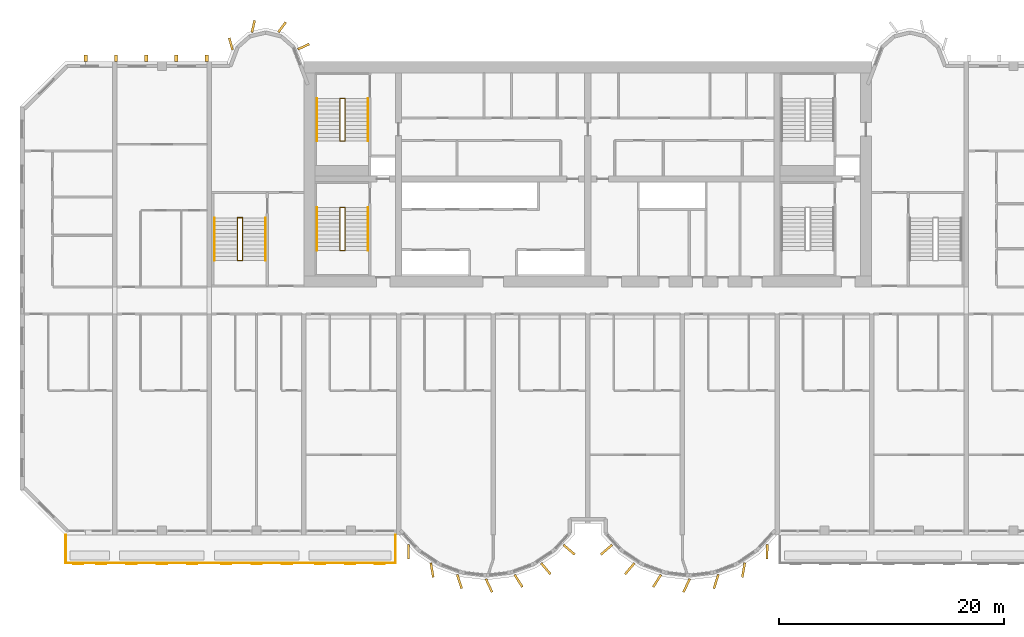
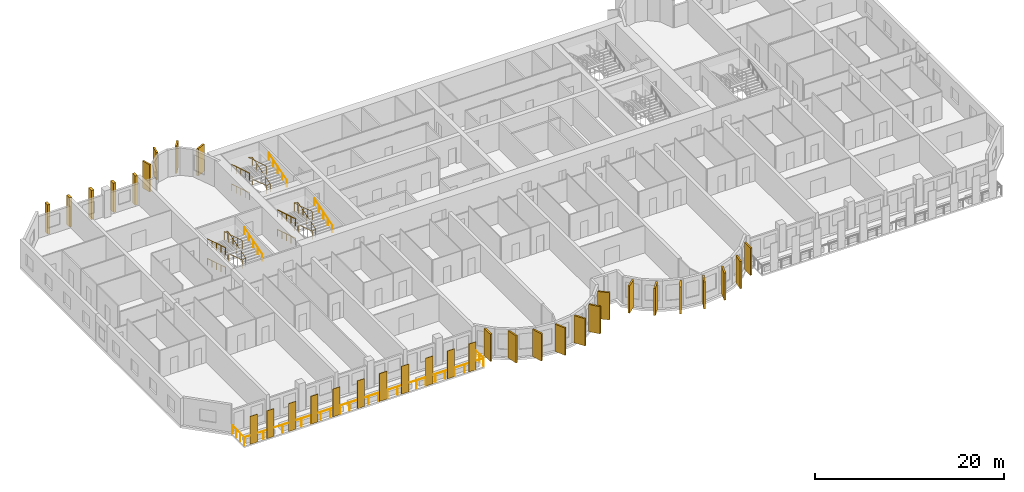
# One storey, part 13 of 15: 34 coverings, 13 railings.
"""IFC4 building model written with IfcOpenShell, lengths in metres."""

from ifc_helpers import new_model, si_unit, direction, frame, origin, origin_2d, place, context, subcontext, project, spatial, rectangle, circle, extrude, source, transform, mapped, material, layer, layer_set, material_profile, profile_set, type_object, element, save


model = new_model("IFC4")

# Units and contexts
model_context = context("Model", 3, precision=1e-05, world=origin(), true_north=direction((0.0, 1.0)))
body_context = subcontext(model_context, "Body", "Model", "MODEL_VIEW")
ifc_project = project(units=[si_unit("LENGTHUNIT", "METRE"), si_unit("AREAUNIT", "SQUARE_METRE"), si_unit("VOLUMEUNIT", "CUBIC_METRE"), si_unit("PLANEANGLEUNIT", "RADIAN"), si_unit("MASSUNIT", "GRAM", prefix="KILO")], contexts=[model_context])

# Site, building, storey
site_placement = place(None, origin())
site = spatial("IfcSite", under=ifc_project, at=site_placement, CompositionType="ELEMENT")
building_placement = place(site_placement, origin())
building = spatial("IfcBuilding", under=site, at=building_placement, Name="Vanashikhar Sky Hotel", CompositionType="ELEMENT")
storey_placement = place(building_placement, frame((0.0, 0.0, 62.0)))
storey = spatial("IfcBuildingStorey", under=building, at=storey_placement, Name="L14", CompositionType="ELEMENT", Elevation=62.0)

# Railing
ifc_material_1 = material(Name="Stainless steel 316", Category="steel")
railing_type_1 = type_object("IfcRailingType", Name="Balcony guard 1100", PredefinedType="GUARDRAIL", material=ifc_material_1)
shared_shape_1 = source(origin(), body_context, "Body", "SweptSolid", [
    extrude(circle(Radius=0.02392578125, at=origin_2d()), frame((0.0, 0.0, 1.076171875), z_axis=(0.0, -1.0, 0.0), x_axis=(1.0, 0.0, 0.0)), (0.0, 0.0, 1.0), 2.5),
    extrude(circle(Radius=0.02392578125, at=origin_2d()), frame((0.0, -2.5, 1.076171875), z_axis=(1.0, 0.0, 0.0), x_axis=(0.0, 1.0, 0.0)), (0.0, 0.0, 1.0), 29.280029296875),
    extrude(circle(Radius=0.02392578125, at=origin_2d()), frame((29.280029296875, -2.5, 1.076171875), z_axis=(0.0, 1.0, 0.0), x_axis=(-1.0, 0.0, 0.0)), (0.0, 0.0, 1.0), 2.5),
    extrude(circle(Radius=0.02099609375, at=origin_2d()), origin(), (0.0, 0.0, 1.0), 1.052001953125),
    extrude(circle(Radius=0.02099609375, at=origin_2d()), frame((0.0, -0.833251953125, 0.0)), (0.0, 0.0, 1.0), 1.052001953125),
    extrude(circle(Radius=0.02099609375, at=origin_2d()), frame((0.0, -1.666748046875, 0.0)), (0.0, 0.0, 1.0), 1.052001953125),
    extrude(circle(Radius=0.02099609375, at=origin_2d()), frame((0.0, -2.5, 0.0)), (0.0, 0.0, 1.0), 1.052001953125),
    extrude(circle(Radius=0.02099609375, at=origin_2d()), frame((1.171142578125, -2.5, 0.0)), (0.0, 0.0, 1.0), 1.052001953125),
    extrude(circle(Radius=0.02099609375, at=origin_2d()), frame((2.34228515625, -2.5, 0.0)), (0.0, 0.0, 1.0), 1.052001953125),
    extrude(circle(Radius=0.02099609375, at=origin_2d()), frame((3.513671875, -2.5, 0.0)), (0.0, 0.0, 1.0), 1.052001953125),
    extrude(circle(Radius=0.02099609375, at=origin_2d()), frame((4.684814453125, -2.5, 0.0)), (0.0, 0.0, 1.0), 1.052001953125),
    extrude(circle(Radius=0.02099609375, at=origin_2d()), frame((5.85595703125, -2.5, 0.0)), (0.0, 0.0, 1.0), 1.052001953125),
    extrude(circle(Radius=0.02099609375, at=origin_2d()), frame((7.027099609375, -2.5, 0.0)), (0.0, 0.0, 1.0), 1.052001953125),
    extrude(circle(Radius=0.02099609375, at=origin_2d()), frame((8.198486328125, -2.5, 0.0)), (0.0, 0.0, 1.0), 1.052001953125),
    extrude(circle(Radius=0.02099609375, at=origin_2d()), frame((9.36962890625, -2.5, 0.0)), (0.0, 0.0, 1.0), 1.052001953125),
    extrude(circle(Radius=0.02099609375, at=origin_2d()), frame((10.540771484375, -2.5, 0.0)), (0.0, 0.0, 1.0), 1.052001953125),
    extrude(circle(Radius=0.02099609375, at=origin_2d()), frame((11.7119140625, -2.5, 0.0)), (0.0, 0.0, 1.0), 1.052001953125),
    extrude(circle(Radius=0.02099609375, at=origin_2d()), frame((12.88330078125, -2.5, 0.0)), (0.0, 0.0, 1.0), 1.052001953125),
    extrude(circle(Radius=0.02099609375, at=origin_2d()), frame((14.054443359375, -2.5, 0.0)), (0.0, 0.0, 1.0), 1.052001953125),
    extrude(circle(Radius=0.02099609375, at=origin_2d()), frame((15.2255859375, -2.5, 0.0)), (0.0, 0.0, 1.0), 1.052001953125),
    extrude(circle(Radius=0.02099609375, at=origin_2d()), frame((16.396728515625, -2.5, 0.0)), (0.0, 0.0, 1.0), 1.052001953125),
    extrude(circle(Radius=0.02099609375, at=origin_2d()), frame((17.568115234375, -2.5, 0.0)), (0.0, 0.0, 1.0), 1.052001953125),
    extrude(circle(Radius=0.02099609375, at=origin_2d()), frame((18.7392578125, -2.5, 0.0)), (0.0, 0.0, 1.0), 1.052001953125),
    extrude(circle(Radius=0.02099609375, at=origin_2d()), frame((19.910400390625, -2.5, 0.0)), (0.0, 0.0, 1.0), 1.052001953125),
    extrude(circle(Radius=0.02099609375, at=origin_2d()), frame((21.08154296875, -2.5, 0.0)), (0.0, 0.0, 1.0), 1.052001953125),
    extrude(circle(Radius=0.02099609375, at=origin_2d()), frame((22.2529296875, -2.5, 0.0)), (0.0, 0.0, 1.0), 1.052001953125),
    extrude(circle(Radius=0.02099609375, at=origin_2d()), frame((23.424072265625, -2.5, 0.0)), (0.0, 0.0, 1.0), 1.052001953125),
    extrude(circle(Radius=0.02099609375, at=origin_2d()), frame((24.59521484375, -2.5, 0.0)), (0.0, 0.0, 1.0), 1.052001953125),
    extrude(circle(Radius=0.02099609375, at=origin_2d()), frame((25.766357421875, -2.5, 0.0)), (0.0, 0.0, 1.0), 1.052001953125),
    extrude(circle(Radius=0.02099609375, at=origin_2d()), frame((26.937744140625, -2.5, 0.0)), (0.0, 0.0, 1.0), 1.052001953125),
    extrude(circle(Radius=0.02099609375, at=origin_2d()), frame((28.10888671875, -2.5, 0.0)), (0.0, 0.0, 1.0), 1.052001953125),
    extrude(circle(Radius=0.02099609375, at=origin_2d()), frame((29.280029296875, -2.5, 0.0)), (0.0, 0.0, 1.0), 1.052001953125),
    extrude(circle(Radius=0.02099609375, at=origin_2d()), frame((29.280029296875, -1.666748046875, 0.0)), (0.0, 0.0, 1.0), 1.052001953125),
    extrude(circle(Radius=0.02099609375, at=origin_2d()), frame((29.280029296875, -0.833251953125, 0.0)), (0.0, 0.0, 1.0), 1.052001953125),
    extrude(circle(Radius=0.02099609375, at=origin_2d()), frame((29.280029296875, 0.0, 0.0)), (0.0, 0.0, 1.0), 1.052001953125),
])
railing_1_placement = place(storey_placement, frame((4.06005859375, 0.0, -0.050048828125)))
element("IfcRailing", 1, at=railing_1_placement, inside=storey, type_object=railing_type_1, Name="Balcony guard", PredefinedType="GUARDRAIL", context=body_context, shape_type="MappedRepresentation", body=[
    mapped(shared_shape_1, transform((0.0, 0.0, 0.0), scale=1.0)),
])

# Coverings
ifc_material_2 = material(Name="Terracotta", Category="masonry")
ifc_layer = layer(ifc_material_2, 0.06005859375)
ifc_layer_set = layer_set([ifc_layer], Name="Terracotta baguette screen")
covering_type_1 = type_object("IfcCoveringType", Name="Terracotta baguette screen", PredefinedType="CLADDING", material=ifc_layer_set)
shared_shape_2 = source(origin(), body_context, "Body", "SweptSolid", [
    extrude(rectangle(XDim=0.89990234375, YDim=0.06005859375, at=origin_2d()), origin(), (0.0, 0.0, 1.0), 3.60009765625),
])
for number, where, z_axis, x_axis, name in (
    (2, (5.175048828125, -2.570068359375, -0.050048828125), (0.0, 0.0, 1.0), (1.0, 0.0, 0.0), "Terracotta screen"),
    (3, (7.22509765625, -2.570068359375, -0.050048828125), (0.0, 0.0, 1.0), (1.0, 0.0, 0.0), "Terracotta screen"),
    (4, (9.89990234375, -2.570068359375, -0.050048828125), (0.0, 0.0, 1.0), (1.0, 0.0, 0.0), "Terracotta screen"),
    (5, (12.60009765625, -2.570068359375, -0.050048828125), (0.0, 0.0, 1.0), (1.0, 0.0, 0.0), "Terracotta screen"),
    (6, (15.300048828125, -2.570068359375, -0.050048828125), (0.0, 0.0, 1.0), (1.0, 0.0, 0.0), "Terracotta screen"),
    (7, (18.300048828125, -2.570068359375, -0.050048828125), (0.0, 0.0, 1.0), (1.0, 0.0, 0.0), "Terracotta screen"),
    (8, (21.0, -2.570068359375, -0.050048828125), (0.0, 0.0, 1.0), (1.0, 0.0, 0.0), "Terracotta screen"),
    (9, (23.699951171875, -2.570068359375, -0.050048828125), (0.0, 0.0, 1.0), (1.0, 0.0, 0.0), "Terracotta screen"),
    (10, (26.666748046875, -2.570068359375, -0.050048828125), (0.0, 0.0, 1.0), (1.0, 0.0, 0.0), "Terracotta screen"),
    (11, (29.300048828125, -2.570068359375, -0.050048828125), (0.0, 0.0, 1.0), (1.0, 0.0, 0.0), "Terracotta screen"),
    (12, (31.933349609375, -2.570068359375, -0.050048828125), (0.0, 0.0, 1.0), (1.0, 0.0, 0.0), "Terracotta screen"),
):
    element("IfcCovering", number, at=place(storey_placement, frame(where, z_axis=z_axis, x_axis=x_axis)), inside=storey, type_object=covering_type_1, Name=name, PredefinedType="CLADDING", context=body_context, shape_type="MappedRepresentation", body=[
        mapped(shared_shape_2, transform((0.0, 0.0, 0.0), scale=1.0)),
    ])
ifc_material_3 = material(Name="Concrete M60 dark", Category="concrete")
ifc_material_profile_1 = material_profile(ifc_material_3, rectangle(XDim=1.300048828125, YDim=0.199951171875, at=origin_2d()))
ifc_profile_set_1 = profile_set([ifc_material_profile_1], Name="Fin 1300 x 200")
covering_type_2 = type_object("IfcCoveringType", Name="Fin 1300 x 200", PredefinedType="CLADDING", material=ifc_profile_set_1)
shared_shape_3 = source(origin(), body_context, "Body", "SweptSolid", [
    extrude(rectangle(XDim=1.300048828125, YDim=0.199951171875, at=origin_2d()), origin(), (0.0, 0.0, 1.0), 3.52001953125),
])
for number, where, z_axis, x_axis, name in (
    (13, (34.482421875, -1.507080078125, 0.0), (0.0, 0.0, 1.0), (0.011588726826, -0.999932848451, 0.0), "Fin F1-1"),
    (14, (36.572509765625, -3.1220703125, 0.0), (0.0, 0.0, 1.0), (0.16989991575, -0.985461322746, 0.0), "Fin F1-2"),
    (15, (39.00830078125, -4.14306640625, 0.0), (0.0, 0.0, 1.0), (0.303966551867, -0.952682704444, 0.0), "Fin F1-3"),
    (16, (41.63232421875, -4.49853515625, 0.0), (0.0, 0.0, 1.0), (0.422618261741, -0.906307787037, 0.0), "Fin F1-4"),
    (17, (44.251953125, -4.083984375, 0.0), (0.0, 0.0, 1.0), (0.534411358496, -0.845224526331, 0.0), "Fin F1-5"),
    (18, (46.676025390625, -3.0, 0.0), (0.0, 0.0, 1.0), (0.645697609467, -0.763593214433, 0.0), "Fin F1-6"),
    (19, (48.7412109375, -1.3154296875, 0.0), (0.0, 0.0, 1.0), (0.758543912032, -0.65162192529, 0.0), "Fin F1-7"),
    (20, (52.058837890625, -1.3154296875, 0.0), (0.0, 0.0, 1.0), (-0.758543912032, -0.65162192529, 0.0), "Fin F2-1"),
    (21, (54.123779296875, -3.0, 0.0), (0.0, 0.0, 1.0), (-0.645697609467, -0.763593214433, 0.0), "Fin F2-2"),
    (22, (56.547119140625, -4.083984375, 0.0), (0.0, 0.0, 1.0), (-0.534411358496, -0.845224526331, 0.0), "Fin F2-3"),
    (23, (59.16748046875, -4.49853515625, 0.0), (0.0, 0.0, 1.0), (-0.422618261741, -0.906307787037, 0.0), "Fin F2-4"),
    (24, (61.790771484375, -4.14306640625, 0.0), (0.0, 0.0, 1.0), (-0.303966551867, -0.952682704444, 0.0), "Fin F2-5"),
    (25, (64.2275390625, -3.1220703125, 0.0), (0.0, 0.0, 1.0), (-0.16989991575, -0.985461322746, 0.0), "Fin F2-6"),
    (26, (66.317626953125, -1.507080078125, 0.0), (0.0, 0.0, 1.0), (-0.011588726826, -0.999932848451, 0.0), "Fin F2-7"),
):
    element("IfcCovering", number, at=place(storey_placement, frame(where, z_axis=z_axis, x_axis=x_axis)), inside=storey, type_object=covering_type_2, Name=name, PredefinedType="CLADDING", context=body_context, shape_type="MappedRepresentation", body=[
        mapped(shared_shape_3, transform((0.0, 0.0, 0.0), scale=1.0)),
    ])
ifc_material_profile_2 = material_profile(ifc_material_3, rectangle(XDim=1.10009765625, YDim=0.199951171875, at=origin_2d()))
ifc_profile_set_2 = profile_set([ifc_material_profile_2], Name="Rear lobe fin 1100 x 200")
covering_type_3 = type_object("IfcCoveringType", Name="Rear lobe fin 1100 x 200", PredefinedType="CLADDING", material=ifc_profile_set_2)
shared_shape_4 = source(origin(), body_context, "Body", "SweptSolid", [
    extrude(rectangle(XDim=1.10009765625, YDim=0.199951171875, at=origin_2d()), origin(), (0.0, 0.0, 1.0), 3.52001953125),
])
for number, where, z_axis, x_axis, name in (
    (27, (18.720703125, 43.580078125, 0.0), (0.0, 0.0, 1.0), (-0.262711264409, 0.964874495234, 0.0), "Fin R1-1"),
    (28, (20.710205078125, 45.1455078125, 0.0), (0.0, 0.0, 1.0), (0.224644935864, 0.974440687159, 0.0), "Fin R1-2"),
    (29, (23.261962890625, 45.06640625, 0.0), (0.0, 0.0, 1.0), (0.602065892195, 0.798446404874, 0.0), "Fin R1-3"),
    (30, (25.169677734375, 43.33447265625, 0.0), (0.0, 0.0, 1.0), (0.908004291068, 0.418960866193, 0.0), "Fin R1-4"),
):
    element("IfcCovering", number, at=place(storey_placement, frame(where, z_axis=z_axis, x_axis=x_axis)), inside=storey, type_object=covering_type_3, Name=name, PredefinedType="CLADDING", context=body_context, shape_type="MappedRepresentation", body=[
        mapped(shared_shape_4, transform((0.0, 0.0, 0.0), scale=1.0)),
    ])
ifc_material_profile_3 = material_profile(ifc_material_3, rectangle(XDim=0.60009765625, YDim=0.300048828125, at=origin_2d()))
ifc_profile_set_3 = profile_set([ifc_material_profile_3], Name="Rear rib 600 x 300")
covering_type_4 = type_object("IfcCoveringType", Name="Rear rib 600 x 300", PredefinedType="CLADDING", material=ifc_profile_set_3)
shared_shape_5 = source(origin(), body_context, "Body", "SweptSolid", [
    extrude(rectangle(XDim=0.60009765625, YDim=0.300048828125, at=origin_2d()), origin(), (0.0, 0.0, 1.0), 3.800048828125),
])
for number, where, z_axis, x_axis, name in (
    (31, (5.840087890625, 42.300048828125, -0.280029296875), (0.0, 0.0, 1.0), (0.0, 1.0, 0.0), "Rear rib"),
    (32, (8.52001953125, 42.300048828125, -0.280029296875), (0.0, 0.0, 1.0), (0.0, 1.0, 0.0), "Rear rib"),
    (33, (11.199951171875, 42.300048828125, -0.280029296875), (0.0, 0.0, 1.0), (0.0, 1.0, 0.0), "Rear rib"),
    (34, (13.8798828125, 42.300048828125, -0.280029296875), (0.0, 0.0, 1.0), (0.0, 1.0, 0.0), "Rear rib"),
    (35, (16.56005859375, 42.300048828125, -0.280029296875), (0.0, 0.0, 1.0), (0.0, 1.0, 0.0), "Rear rib"),
):
    element("IfcCovering", number, at=place(storey_placement, frame(where, z_axis=z_axis, x_axis=x_axis)), inside=storey, type_object=covering_type_4, Name=name, PredefinedType="CLADDING", context=body_context, shape_type="MappedRepresentation", body=[
        mapped(shared_shape_5, transform((0.0, 0.0, 0.0), scale=1.0)),
    ])

# Railings
ifc_material_4 = material(Name="Steel S355", Category="steel")
railing_type_2 = type_object("IfcRailingType", Name="Stair handrail 900", PredefinedType="HANDRAIL", material=ifc_material_4)
shared_shape_6 = source(origin(), body_context, "Body", "SweptSolid", [
    extrude(circle(Radius=0.02392578125, at=origin_2d()), frame((0.0, 0.0, 0.8759765625), z_axis=(0.0, 0.95635109408, 0.292220096591), x_axis=(-1.0, 0.0, 0.0)), (0.0, 0.0, 1.0), 3.973388671875),
    extrude(circle(Radius=0.02099609375, at=origin_2d()), origin(), (0.0, 0.0, 1.0), 0.851806640625),
    extrude(circle(Radius=0.02099609375, at=origin_2d()), frame((0.0, 0.949951171875, 0.290283203125)), (0.0, 0.0, 1.0), 0.851806640625),
    extrude(circle(Radius=0.02099609375, at=origin_2d()), frame((0.0, 1.89990234375, 0.58056640625)), (0.0, 0.0, 1.0), 0.851806640625),
    extrude(circle(Radius=0.02099609375, at=origin_2d()), frame((0.0, 2.85009765625, 0.870849609375)), (0.0, 0.0, 1.0), 0.851806640625),
    extrude(circle(Radius=0.02099609375, at=origin_2d()), frame((0.0, 3.800048828125, 1.1611328125)), (0.0, 0.0, 1.0), 0.851806640625),
])
for number, where, name in (
    (36, (30.89990234375, 25.25, 1.372314453125), "Exit stair 1 handrail"),
    (37, (30.89990234375, 34.949951171875, 1.372314453125), "Exit stair 5 handrail"),
):
    element("IfcRailing", number, at=place(storey_placement, frame(where)), inside=storey, type_object=railing_type_2, Name=name, PredefinedType="HANDRAIL", context=body_context, shape_type="MappedRepresentation", body=[
        mapped(shared_shape_6, transform((0.0, 0.0, 0.0), scale=1.0)),
    ])
shared_shape_7 = source(origin(), body_context, "Body", "SweptSolid", [
    extrude(circle(Radius=0.02392578125, at=origin_2d()), frame((0.0, 0.0, 0.8759765625), z_axis=(0.0, -0.95635109408, 0.292220096591), x_axis=(1.0, 0.0, 0.0)), (0.0, 0.0, 1.0), 3.973388671875),
    extrude(circle(Radius=0.02099609375, at=origin_2d()), origin(), (0.0, 0.0, 1.0), 0.851806640625),
    extrude(circle(Radius=0.02099609375, at=origin_2d()), frame((0.0, -0.949951171875, 0.290283203125)), (0.0, 0.0, 1.0), 0.851806640625),
    extrude(circle(Radius=0.02099609375, at=origin_2d()), frame((0.0, -1.89990234375, 0.58056640625)), (0.0, 0.0, 1.0), 0.851806640625),
    extrude(circle(Radius=0.02099609375, at=origin_2d()), frame((0.0, -2.85009765625, 0.870849609375)), (0.0, 0.0, 1.0), 0.851806640625),
    extrude(circle(Radius=0.02099609375, at=origin_2d()), frame((0.0, -3.800048828125, 1.1611328125)), (0.0, 0.0, 1.0), 0.851806640625),
])
for number, where, name in (
    (38, (26.35009765625, 29.050048828125, 0.10546875), "Exit stair 1 handrail"),
    (39, (26.35009765625, 29.050048828125, 2.638916015625), "Exit stair 1 handrail"),
    (40, (26.35009765625, 38.75, 0.10546875), "Exit stair 5 handrail"),
    (41, (26.35009765625, 38.75, 2.638916015625), "Exit stair 5 handrail"),
):
    element("IfcRailing", number, at=place(storey_placement, frame(where)), inside=storey, type_object=railing_type_2, Name=name, PredefinedType="HANDRAIL", context=body_context, shape_type="MappedRepresentation", body=[
        mapped(shared_shape_7, transform((0.0, 0.0, 0.0), scale=1.0)),
    ])
railing_type_3 = type_object("IfcRailingType", Name="Stair guard 1100", PredefinedType="GUARDRAIL", material=ifc_material_4)
shared_shape_8 = source(origin(), body_context, "Body", "SweptSolid", [
    extrude(circle(Radius=0.02392578125, at=origin_2d()), frame((0.0, 0.0, 1.076171875), z_axis=(-0.973638301096, 0.0, 0.228097476179), x_axis=(0.0, -1.0, 0.0)), (0.0, 0.0, 1.0), 0.46240234375),
    extrude(circle(Radius=0.02392578125, at=origin_2d()), frame((-0.4501953125, 0.0, 1.181640625), z_axis=(0.0, -0.95635109408, 0.292220096591), x_axis=(1.0, 0.0, 0.0)), (0.0, 0.0, 1.0), 3.973388671875),
    extrude(circle(Radius=0.02392578125, at=origin_2d()), frame((-0.4501953125, -3.800048828125, 2.3427734375), z_axis=(0.973520925263, 0.0, 0.228597917917), x_axis=(0.0, 1.0, 0.0)), (0.0, 0.0, 1.0), 0.46240234375),
    extrude(circle(Radius=0.02392578125, at=origin_2d()), frame((0.0, -3.800048828125, 2.4482421875), z_axis=(0.0, 0.95635109408, 0.292220096591), x_axis=(-1.0, 0.0, 0.0)), (0.0, 0.0, 1.0), 3.973388671875),
    extrude(circle(Radius=0.02392578125, at=origin_2d()), frame((0.0, 0.0, 3.609375), z_axis=(-0.973638301096, 0.0, 0.228097476179), x_axis=(0.0, -1.0, 0.0)), (0.0, 0.0, 1.0), 0.46240234375),
    extrude(circle(Radius=0.02392578125, at=origin_2d()), frame((-0.4501953125, 0.0, 3.71484375), z_axis=(0.0, -0.95635109408, 0.292220096591), x_axis=(1.0, 0.0, 0.0)), (0.0, 0.0, 1.0), 3.973388671875),
    extrude(circle(Radius=0.02099609375, at=origin_2d()), origin(), (0.0, 0.0, 1.0), 1.052001953125),
    extrude(circle(Radius=0.02099609375, at=origin_2d()), frame((-0.4501953125, 0.0, 0.10546875)), (0.0, 0.0, 1.0), 1.052001953125),
    extrude(circle(Radius=0.02099609375, at=origin_2d()), frame((-0.4501953125, -0.949951171875, 0.395751953125)), (0.0, 0.0, 1.0), 1.052001953125),
    extrude(circle(Radius=0.02099609375, at=origin_2d()), frame((-0.4501953125, -1.89990234375, 0.68603515625)), (0.0, 0.0, 1.0), 1.052001953125),
    extrude(circle(Radius=0.02099609375, at=origin_2d()), frame((-0.4501953125, -2.85009765625, 0.976318359375)), (0.0, 0.0, 1.0), 1.052001953125),
    extrude(circle(Radius=0.02099609375, at=origin_2d()), frame((-0.4501953125, -3.800048828125, 1.2666015625)), (0.0, 0.0, 1.0), 1.052001953125),
    extrude(circle(Radius=0.02099609375, at=origin_2d()), frame((0.0, -3.800048828125, 1.372314453125)), (0.0, 0.0, 1.0), 1.052001953125),
    extrude(circle(Radius=0.02099609375, at=origin_2d()), frame((0.0, -2.85009765625, 1.66259765625)), (0.0, 0.0, 1.0), 1.052001953125),
    extrude(circle(Radius=0.02099609375, at=origin_2d()), frame((0.0, -1.89990234375, 1.952880859375)), (0.0, 0.0, 1.0), 1.052001953125),
    extrude(circle(Radius=0.02099609375, at=origin_2d()), frame((0.0, -0.949951171875, 2.2431640625)), (0.0, 0.0, 1.0), 1.052001953125),
    extrude(circle(Radius=0.02099609375, at=origin_2d()), frame((0.0, 0.0, 2.533447265625)), (0.0, 0.0, 1.0), 1.052001953125),
    extrude(circle(Radius=0.02099609375, at=origin_2d()), frame((-0.4501953125, 0.0, 2.638916015625)), (0.0, 0.0, 1.0), 1.052001953125),
    extrude(circle(Radius=0.02099609375, at=origin_2d()), frame((-0.4501953125, -0.949951171875, 2.92919921875)), (0.0, 0.0, 1.0), 1.052001953125),
    extrude(circle(Radius=0.02099609375, at=origin_2d()), frame((-0.4501953125, -1.89990234375, 3.219482421875)), (0.0, 0.0, 1.0), 1.052001953125),
    extrude(circle(Radius=0.02099609375, at=origin_2d()), frame((-0.4501953125, -2.85009765625, 3.509765625)), (0.0, 0.0, 1.0), 1.052001953125),
    extrude(circle(Radius=0.02099609375, at=origin_2d()), frame((-0.4501953125, -3.800048828125, 3.800048828125)), (0.0, 0.0, 1.0), 1.052001953125),
])
for number, where, name in (
    (42, (28.85009765625, 29.050048828125, 0.0), "Exit stair 1 guard"),
    (43, (28.85009765625, 38.75, 0.0), "Exit stair 5 guard"),
):
    element("IfcRailing", number, at=place(storey_placement, frame(where)), inside=storey, type_object=railing_type_3, Name=name, PredefinedType="GUARDRAIL", context=body_context, shape_type="MappedRepresentation", body=[
        mapped(shared_shape_8, transform((0.0, 0.0, 0.0), scale=1.0)),
    ])
shared_shape_9 = source(origin(), body_context, "Body", "SweptSolid", [
    extrude(circle(Radius=0.02392578125, at=origin_2d()), frame((0.0, 0.0, 0.8759765625), z_axis=(0.0, 0.956345846891, 0.292237268557), x_axis=(-1.0, 0.0, 0.0)), (0.0, 0.0, 1.0), 3.97314453125),
    extrude(circle(Radius=0.02099609375, at=origin_2d()), origin(), (0.0, 0.0, 1.0), 0.851806640625),
    extrude(circle(Radius=0.02099609375, at=origin_2d()), frame((0.0, 0.949951171875, 0.290283203125)), (0.0, 0.0, 1.0), 0.851806640625),
    extrude(circle(Radius=0.02099609375, at=origin_2d()), frame((0.0, 1.89990234375, 0.58056640625)), (0.0, 0.0, 1.0), 0.851806640625),
    extrude(circle(Radius=0.02099609375, at=origin_2d()), frame((0.0, 2.849853515625, 0.870849609375)), (0.0, 0.0, 1.0), 0.851806640625),
    extrude(circle(Radius=0.02099609375, at=origin_2d()), frame((0.0, 3.7998046875, 1.1611328125)), (0.0, 0.0, 1.0), 0.851806640625),
])
railing_2_placement = place(storey_placement, frame((21.800048828125, 24.35009765625, 1.372314453125)))
element("IfcRailing", 44, at=railing_2_placement, inside=storey, type_object=railing_type_2, Name="Exit stair 3 handrail", PredefinedType="HANDRAIL", context=body_context, shape_type="MappedRepresentation", body=[
    mapped(shared_shape_9, transform((0.0, 0.0, 0.0), scale=1.0)),
])
shared_shape_10 = source(origin(), body_context, "Body", "SweptSolid", [
    extrude(circle(Radius=0.02392578125, at=origin_2d()), frame((0.0, 0.0, 0.8759765625), z_axis=(0.0, -0.956345846891, 0.292237268557), x_axis=(1.0, 0.0, 0.0)), (0.0, 0.0, 1.0), 3.97314453125),
    extrude(circle(Radius=0.02099609375, at=origin_2d()), origin(), (0.0, 0.0, 1.0), 0.851806640625),
    extrude(circle(Radius=0.02099609375, at=origin_2d()), frame((0.0, -0.949951171875, 0.290283203125)), (0.0, 0.0, 1.0), 0.851806640625),
    extrude(circle(Radius=0.02099609375, at=origin_2d()), frame((0.0, -1.89990234375, 0.58056640625)), (0.0, 0.0, 1.0), 0.851806640625),
    extrude(circle(Radius=0.02099609375, at=origin_2d()), frame((0.0, -2.849853515625, 0.870849609375)), (0.0, 0.0, 1.0), 0.851806640625),
    extrude(circle(Radius=0.02099609375, at=origin_2d()), frame((0.0, -3.7998046875, 1.1611328125)), (0.0, 0.0, 1.0), 0.851806640625),
])
for number, where, name in (
    (45, (17.25, 28.14990234375, 0.10546875), "Exit stair 3 handrail"),
    (46, (17.25, 28.14990234375, 2.638916015625), "Exit stair 3 handrail"),
):
    element("IfcRailing", number, at=place(storey_placement, frame(where)), inside=storey, type_object=railing_type_2, Name=name, PredefinedType="HANDRAIL", context=body_context, shape_type="MappedRepresentation", body=[
        mapped(shared_shape_10, transform((0.0, 0.0, 0.0), scale=1.0)),
    ])
shared_shape_11 = source(origin(), body_context, "Body", "SweptSolid", [
    extrude(circle(Radius=0.02392578125, at=origin_2d()), frame((0.0, 0.0, 1.076171875), z_axis=(-0.973610808694, 0.0, 0.228214796178), x_axis=(0.0, -1.0, 0.0)), (0.0, 0.0, 1.0), 0.462158203125),
    extrude(circle(Radius=0.02392578125, at=origin_2d()), frame((-0.449951171875, 0.0, 1.181640625), z_axis=(0.0, -0.956345846891, 0.292237268557), x_axis=(1.0, 0.0, 0.0)), (0.0, 0.0, 1.0), 3.97314453125),
    extrude(circle(Radius=0.02392578125, at=origin_2d()), frame((-0.449951171875, -3.7998046875, 2.3427734375), z_axis=(0.973493315427, 0.0, 0.228715466945), x_axis=(0.0, 1.0, 0.0)), (0.0, 0.0, 1.0), 0.462158203125),
    extrude(circle(Radius=0.02392578125, at=origin_2d()), frame((0.0, -3.7998046875, 2.4482421875), z_axis=(0.0, 0.956345846891, 0.292237268557), x_axis=(-1.0, 0.0, 0.0)), (0.0, 0.0, 1.0), 3.97314453125),
    extrude(circle(Radius=0.02392578125, at=origin_2d()), frame((0.0, 0.0, 3.609375), z_axis=(-0.973610808694, 0.0, 0.228214796178), x_axis=(0.0, -1.0, 0.0)), (0.0, 0.0, 1.0), 0.462158203125),
    extrude(circle(Radius=0.02392578125, at=origin_2d()), frame((-0.449951171875, 0.0, 3.71484375), z_axis=(0.0, -0.956345846891, 0.292237268557), x_axis=(1.0, 0.0, 0.0)), (0.0, 0.0, 1.0), 3.97314453125),
    extrude(circle(Radius=0.02099609375, at=origin_2d()), origin(), (0.0, 0.0, 1.0), 1.052001953125),
    extrude(circle(Radius=0.02099609375, at=origin_2d()), frame((-0.449951171875, 0.0, 0.10546875)), (0.0, 0.0, 1.0), 1.052001953125),
    extrude(circle(Radius=0.02099609375, at=origin_2d()), frame((-0.449951171875, -0.949951171875, 0.395751953125)), (0.0, 0.0, 1.0), 1.052001953125),
    extrude(circle(Radius=0.02099609375, at=origin_2d()), frame((-0.449951171875, -1.89990234375, 0.68603515625)), (0.0, 0.0, 1.0), 1.052001953125),
    extrude(circle(Radius=0.02099609375, at=origin_2d()), frame((-0.449951171875, -2.849853515625, 0.976318359375)), (0.0, 0.0, 1.0), 1.052001953125),
    extrude(circle(Radius=0.02099609375, at=origin_2d()), frame((-0.449951171875, -3.7998046875, 1.2666015625)), (0.0, 0.0, 1.0), 1.052001953125),
    extrude(circle(Radius=0.02099609375, at=origin_2d()), frame((0.0, -3.7998046875, 1.372314453125)), (0.0, 0.0, 1.0), 1.052001953125),
    extrude(circle(Radius=0.02099609375, at=origin_2d()), frame((0.0, -2.849853515625, 1.66259765625)), (0.0, 0.0, 1.0), 1.052001953125),
    extrude(circle(Radius=0.02099609375, at=origin_2d()), frame((0.0, -1.89990234375, 1.952880859375)), (0.0, 0.0, 1.0), 1.052001953125),
    extrude(circle(Radius=0.02099609375, at=origin_2d()), frame((0.0, -0.949951171875, 2.2431640625)), (0.0, 0.0, 1.0), 1.052001953125),
    extrude(circle(Radius=0.02099609375, at=origin_2d()), frame((0.0, 0.0, 2.533447265625)), (0.0, 0.0, 1.0), 1.052001953125),
    extrude(circle(Radius=0.02099609375, at=origin_2d()), frame((-0.449951171875, 0.0, 2.638916015625)), (0.0, 0.0, 1.0), 1.052001953125),
    extrude(circle(Radius=0.02099609375, at=origin_2d()), frame((-0.449951171875, -0.949951171875, 2.92919921875)), (0.0, 0.0, 1.0), 1.052001953125),
    extrude(circle(Radius=0.02099609375, at=origin_2d()), frame((-0.449951171875, -1.89990234375, 3.219482421875)), (0.0, 0.0, 1.0), 1.052001953125),
    extrude(circle(Radius=0.02099609375, at=origin_2d()), frame((-0.449951171875, -2.849853515625, 3.509765625)), (0.0, 0.0, 1.0), 1.052001953125),
    extrude(circle(Radius=0.02099609375, at=origin_2d()), frame((-0.449951171875, -3.7998046875, 3.800048828125)), (0.0, 0.0, 1.0), 1.052001953125),
])
railing_3_placement = place(storey_placement, frame((19.75, 28.14990234375, 0.0)))
element("IfcRailing", 47, at=railing_3_placement, inside=storey, type_object=railing_type_3, Name="Exit stair 3 guard", PredefinedType="GUARDRAIL", context=body_context, shape_type="MappedRepresentation", body=[
    mapped(shared_shape_11, transform((0.0, 0.0, 0.0), scale=1.0)),
])

save(model, "model.ifc")
